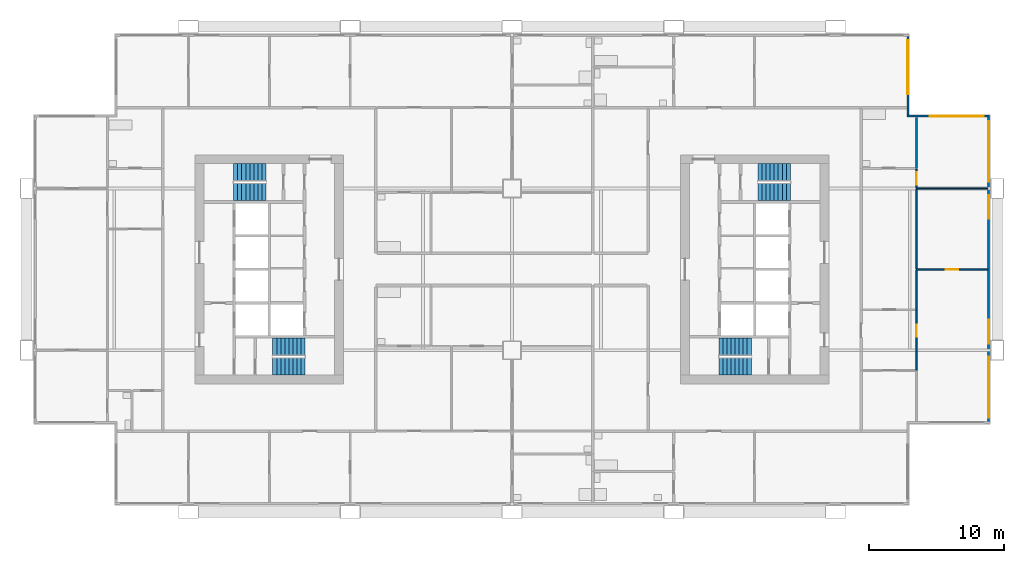
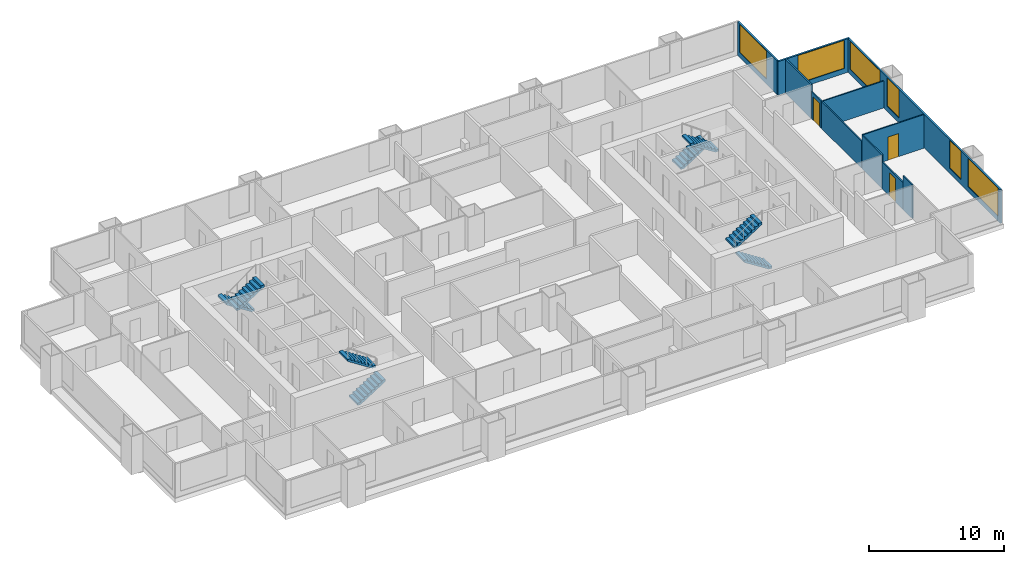
# One storey, part 8 of 10: 11 walls, 8 stair flights, 6 windows, 3 doors, 9 openings, 4 elements without a shape of their own.
"""IFC4 building model written with IfcOpenShell, lengths in metres."""

from ifc_helpers import new_model, si_unit, direction, frame, frame_2d, origin, place, context, subcontext, project, spatial, polyline, rectangle, outline, extrude, material, layer, layer_set, type_object, element, fill, aggregate, save


model = new_model("IFC4")

# Units and contexts
model_context = context("Model", 3, precision=1e-05, world=origin(), true_north=direction((0.0, 1.0)))
body_context = subcontext(model_context, "Body", "Model", "MODEL_VIEW")
ifc_project = project(units=[si_unit("LENGTHUNIT", "METRE"), si_unit("AREAUNIT", "SQUARE_METRE"), si_unit("VOLUMEUNIT", "CUBIC_METRE"), si_unit("PLANEANGLEUNIT", "RADIAN"), si_unit("MASSUNIT", "GRAM", prefix="KILO")], contexts=[model_context])

# Site, building, storey
site_placement = place(None, origin())
site = spatial("IfcSite", under=ifc_project, at=site_placement, CompositionType="ELEMENT")
building_placement = place(site_placement, origin())
building = spatial("IfcBuilding", under=site, at=building_placement, Name="Kitamizu Gate Tower and Museum", CompositionType="ELEMENT")
storey_placement = place(building_placement, frame((0.0, 0.0, 117.300048828125)))
storey = spatial("IfcBuildingStorey", under=building, at=storey_placement, Name="L30", CompositionType="ELEMENT", Elevation=117.300048828125)

# Wall, opening, door
ifc_material_1 = material(Name="Gypsum board on galvanised stud")
ifc_layer_1 = layer(ifc_material_1, 0.10009765625)
ifc_layer_set_1 = layer_set([ifc_layer_1], Name="Gypsum board on galvanised stud")
wall_type_1 = type_object("IfcWallType", Name="Partition 100 NOT RATED", PredefinedType="PARTITIONING", material=ifc_layer_set_1)
wall_1_placement = place(storey_placement, frame((71.280029296875, 30.0, 0.0), z_axis=(0.0, 0.0, 1.0), x_axis=(-1.0, 0.0, 0.0)))
wall_1 = element("IfcWall", 1, at=wall_1_placement, inside=storey, type_object=wall_type_1, Name="Partition L30-098", PredefinedType="PARTITIONING", context=body_context, shape_type="SweptSolid", body=[
    extrude(rectangle(XDim=5.280029296875, YDim=0.10009765625, at=frame_2d((2.64013671875, 0.0))), origin(), (0.0, 0.0, 1.0), 3.050048828125),
])
opening_1_placement = place(wall_1_placement, frame((2.18994140625, 0.0, 0.0)))
opening_1 = element("IfcOpeningElement", 2, at=opening_1_placement, cuts=wall_1, Name="Opening L30-038", PredefinedType="OPENING", context=body_context, shape_type="SweptSolid", body=[
    extrude(rectangle(XDim=0.89990234375, YDim=2.10009765625, at=frame_2d((0.449951171875, 1.050048828125))), frame((0.0, 0.06005859375, 0.0), z_axis=(0.0, -1.0, 0.0), x_axis=(1.0, 0.0, 0.0)), (0.0, 0.0, 1.0), 0.1201171875),
])
ifc_material_2 = material(Name="Timber door set", Category="wood")
door_type = type_object("IfcDoorType", Name="Room door 900", OperationType="NOTDEFINED", PredefinedType="DOOR", material=ifc_material_2)
door_1_placement = place(opening_1_placement, frame((0.89990234375, 0.0, 0.0), x_axis=(-1.0, 0.0, 0.0)))
door_1 = element("IfcDoor", 3, at=door_1_placement, inside=storey, type_object=door_type, Name="Door L30-038", OperationType="SINGLE_SWING_LEFT", OverallHeight=2.10009765625, OverallWidth=0.89990234375, PredefinedType="DOOR", context=body_context, shape_type="SweptSolid", body=[
    extrude(rectangle(XDim=0.89990234375, YDim=2.10009765625, at=frame_2d((0.449951171875, 1.050048828125))), frame((0.0, 0.02490234375, 0.0), z_axis=(0.0, -1.0, 0.0), x_axis=(1.0, 0.0, 0.0)), (0.0, 0.0, 1.0), 0.050048828125),
])
fill(opening_1, door_1)

wall_2_placement = place(storey_placement, frame((66.0, 27.0, 0.0), z_axis=(0.0, 0.0, 1.0), x_axis=(0.0, -1.0, 0.0)))
wall_2 = element("IfcWall", 4, at=wall_2_placement, inside=storey, type_object=wall_type_1, Name="Partition L30-100", PredefinedType="PARTITIONING", context=body_context, shape_type="SweptSolid", body=[
    extrude(rectangle(XDim=3.10009765625, YDim=0.10009765625, at=frame_2d((1.550048828125, 0.0))), origin(), (0.0, 0.0, 1.0), 2.449951171875),
])
opening_2_placement = place(wall_2_placement, frame((1.10009765625, 0.0, 0.0)))
opening_2 = element("IfcOpeningElement", 5, at=opening_2_placement, cuts=wall_2, Name="Opening L30-036", PredefinedType="OPENING", context=body_context, shape_type="SweptSolid", body=[
    extrude(rectangle(XDim=0.89990234375, YDim=2.10009765625, at=frame_2d((0.449951171875, 1.050048828125))), frame((0.0, 0.06005859375, 0.0), z_axis=(0.0, -1.0, 0.0), x_axis=(1.0, 0.0, 0.0)), (0.0, 0.0, 1.0), 0.1201171875),
])
door_2_placement = place(opening_2_placement, origin())
door_2 = element("IfcDoor", 6, at=door_2_placement, inside=storey, type_object=door_type, Name="Door L30-036", OperationType="SINGLE_SWING_RIGHT", OverallHeight=2.10009765625, OverallWidth=0.89990234375, PredefinedType="DOOR", context=body_context, shape_type="SweptSolid", body=[
    extrude(rectangle(XDim=0.89990234375, YDim=2.10009765625, at=frame_2d((0.449951171875, 1.050048828125))), frame((0.0, 0.02490234375, 0.0), z_axis=(0.0, -1.0, 0.0), x_axis=(1.0, 0.0, 0.0)), (0.0, 0.0, 1.0), 0.050048828125),
])
fill(opening_2, door_2)

# Walls
wall_3_placement = place(storey_placement, frame((66.0, 23.89990234375, 0.0), z_axis=(0.0, 0.0, 1.0), x_axis=(0.0, -1.0, 0.0)))
element("IfcWall", 7, at=wall_3_placement, inside=storey, type_object=wall_type_1, Name="Partition L30-101", PredefinedType="PARTITIONING", context=body_context, shape_type="SweptSolid", body=[
    extrude(rectangle(XDim=1.39990234375, YDim=0.10009765625, at=frame_2d((0.699951171875, 0.0))), origin(), (0.0, 0.0, 1.0), 3.050048828125),
])
wall_4_placement = place(storey_placement, frame((66.0, 29.949951171875, 0.0), z_axis=(0.0, 0.0, 1.0), x_axis=(0.0, -1.0, 0.0)))
element("IfcWall", 8, at=wall_4_placement, inside=storey, type_object=wall_type_1, Name="Partition L30-102", PredefinedType="PARTITIONING", context=body_context, shape_type="SweptSolid", body=[
    extrude(rectangle(XDim=2.949951171875, YDim=0.10009765625, at=frame_2d((1.47509765625, 0.0))), origin(), (0.0, 0.0, 1.0), 3.050048828125),
])
wall_5_placement = place(storey_placement, frame((71.280029296875, 36.0, 0.0), z_axis=(0.0, 0.0, 1.0), x_axis=(-1.0, 0.0, 0.0)))
element("IfcWall", 9, at=wall_5_placement, inside=storey, type_object=wall_type_1, Name="Partition L30-103", PredefinedType="PARTITIONING", context=body_context, shape_type="SweptSolid", body=[
    extrude(rectangle(XDim=5.280029296875, YDim=0.10009765625, at=frame_2d((2.64013671875, 0.0))), origin(), (0.0, 0.0, 1.0), 2.449951171875),
])
wall_6_placement = place(storey_placement, frame((66.0, 35.949951171875, 0.0), z_axis=(0.0, 0.0, 1.0), x_axis=(0.0, -1.0, 0.0)))
element("IfcWall", 10, at=wall_6_placement, inside=storey, type_object=wall_type_1, Name="Partition L30-104", PredefinedType="PARTITIONING", context=body_context, shape_type="SweptSolid", body=[
    extrude(rectangle(XDim=5.89990234375, YDim=0.10009765625, at=frame_2d((2.949951171875, 0.0))), origin(), (0.0, 0.0, 1.0), 2.449951171875),
])

# Wall, opening, door
wall_7_placement = place(storey_placement, frame((66.0, 37.425048828125, 0.0), z_axis=(0.0, 0.0, 1.0), x_axis=(0.0, -1.0, 0.0)))
wall_7 = element("IfcWall", 11, at=wall_7_placement, inside=storey, type_object=wall_type_1, Name="Partition L30-105", PredefinedType="PARTITIONING", context=body_context, shape_type="SweptSolid", body=[
    extrude(rectangle(XDim=1.375, YDim=0.10009765625, at=frame_2d((0.6875, 0.0))), origin(), (0.0, 0.0, 1.0), 2.449951171875),
])
opening_3_placement = place(wall_7_placement, frame((0.237548828125, 0.0, 0.0)))
opening_3 = element("IfcOpeningElement", 12, at=opening_3_placement, cuts=wall_7, Name="Opening L30-039", PredefinedType="OPENING", context=body_context, shape_type="SweptSolid", body=[
    extrude(rectangle(XDim=0.89990234375, YDim=2.10009765625, at=frame_2d((0.449951171875, 1.050048828125))), frame((0.0, 0.06005859375, 0.0), z_axis=(0.0, -1.0, 0.0), x_axis=(1.0, 0.0, 0.0)), (0.0, 0.0, 1.0), 0.1201171875),
])
door_3_placement = place(opening_3_placement, origin())
door_3 = element("IfcDoor", 13, at=door_3_placement, inside=storey, type_object=door_type, Name="Door L30-039", OperationType="SINGLE_SWING_LEFT", OverallHeight=2.10009765625, OverallWidth=0.89990234375, PredefinedType="DOOR", context=body_context, shape_type="SweptSolid", body=[
    extrude(rectangle(XDim=0.89990234375, YDim=2.10009765625, at=frame_2d((0.449951171875, 1.050048828125))), frame((0.0, 0.02490234375, 0.0), z_axis=(0.0, -1.0, 0.0), x_axis=(1.0, 0.0, 0.0)), (0.0, 0.0, 1.0), 0.050048828125),
])
fill(opening_3, door_3)

# Wall
ifc_material_3 = material(Name="Gypsum board on galvanised stud")
ifc_layer_2 = layer(ifc_material_3, 0.14990234375)
ifc_layer_set_2 = layer_set([ifc_layer_2], Name="Gypsum board on galvanised stud")
wall_type_2 = type_object("IfcWallType", Name="Partition 150", PredefinedType="PARTITIONING", material=ifc_layer_set_2)
wall_8_placement = place(storey_placement, frame((66.0, 41.280029296875, 0.0), z_axis=(0.0, 0.0, 1.0), x_axis=(0.0, -1.0, 0.0)))
element("IfcWall", 14, at=wall_8_placement, inside=storey, type_object=wall_type_2, Name="Partition L30-106", PredefinedType="PARTITIONING", context=body_context, shape_type="SweptSolid", body=[
    extrude(rectangle(XDim=3.780029296875, YDim=0.14990234375, at=frame_2d((1.89013671875, 0.0))), origin(), (0.0, 0.0, 1.0), 3.050048828125),
])

# Wall, openings, windows
ifc_material_4 = material(Name="Bronze anodised aluminium frame with insulated spandrel and tinted glass", Category="aluminium")
ifc_layer_3 = layer(ifc_material_4, 0.14990234375)
ifc_layer_set_3 = layer_set([ifc_layer_3], Name="Bronze anodised aluminium frame with insulated spandrel and tinted glass")
wall_type_3 = type_object("IfcWallType", Name="WINDOW WALL 150 BRONZE FRAME EI 30", PredefinedType="ELEMENTEDWALL", material=ifc_layer_set_3)
wall_9_placement = place(storey_placement, frame((71.364990234375, 18.7099609375, 0.0), z_axis=(0.0, 0.0, 1.0), x_axis=(0.0, 1.0, 0.0)))
wall_9 = element("IfcWall", 15, at=wall_9_placement, inside=storey, type_object=wall_type_3, Name="Window wall east L30", PredefinedType="ELEMENTEDWALL", context=body_context, shape_type="SweptSolid", body=[
    extrude(rectangle(XDim=22.580078125, YDim=0.14990234375, at=frame_2d((11.2900390625, 0.0))), origin(), (0.0, 0.0, 1.0), 3.050048828125),
])
opening_4_placement = place(wall_9_placement, frame((0.2900390625, 0.0, 0.449951171875)))
opening_4 = element("IfcOpeningElement", 16, at=opening_4_placement, cuts=wall_9, Name="Opening W15", PredefinedType="OPENING", context=body_context, shape_type="SweptSolid", body=[
    extrude(rectangle(XDim=4.5, YDim=2.550048828125, at=frame_2d((2.25, 1.27490234375))), frame((0.0, 0.0849609375, 0.0), z_axis=(0.0, -1.0, 0.0), x_axis=(1.0, 0.0, 0.0)), (0.0, 0.0, 1.0), 0.169921875),
])
opening_5_placement = place(wall_9_placement, frame((5.7900390625, 0.0, 0.449951171875)))
opening_5 = element("IfcOpeningElement", 17, at=opening_5_placement, cuts=wall_9, Name="Opening W29", PredefinedType="OPENING", context=body_context, shape_type="SweptSolid", body=[
    extrude(rectangle(XDim=1.75, YDim=2.550048828125, at=frame_2d((0.875, 1.27490234375))), frame((0.0, 0.0849609375, 0.0), z_axis=(0.0, -1.0, 0.0), x_axis=(1.0, 0.0, 0.0)), (0.0, 0.0, 1.0), 0.169921875),
])
opening_6_placement = place(wall_9_placement, frame((15.0400390625, 0.0, 0.449951171875)))
opening_6 = element("IfcOpeningElement", 18, at=opening_6_placement, cuts=wall_9, Name="Opening W29", PredefinedType="OPENING", context=body_context, shape_type="SweptSolid", body=[
    extrude(rectangle(XDim=1.75, YDim=2.550048828125, at=frame_2d((0.875, 1.27490234375))), frame((0.0, 0.0849609375, 0.0), z_axis=(0.0, -1.0, 0.0), x_axis=(1.0, 0.0, 0.0)), (0.0, 0.0, 1.0), 0.169921875),
])
opening_7_placement = place(wall_9_placement, frame((17.7900390625, 0.0, 0.449951171875)))
opening_7 = element("IfcOpeningElement", 19, at=opening_7_placement, cuts=wall_9, Name="Opening W15", PredefinedType="OPENING", context=body_context, shape_type="SweptSolid", body=[
    extrude(rectangle(XDim=4.5, YDim=2.550048828125, at=frame_2d((2.25, 1.27490234375))), frame((0.0, 0.0849609375, 0.0), z_axis=(0.0, -1.0, 0.0), x_axis=(1.0, 0.0, 0.0)), (0.0, 0.0, 1.0), 0.169921875),
])
ifc_material_5 = material(Name="Bronze anodised aluminium frame, tinted triple glazing", Category="aluminium")
window_type_1 = type_object("IfcWindowType", Name="WINDOW 1750 x 2550 SILL 450", PartitioningType="SINGLE_PANEL", PredefinedType="WINDOW", material=ifc_material_5)
window_1_placement = place(opening_5_placement, origin())
window_1 = element("IfcWindow", 20, at=window_1_placement, inside=storey, type_object=window_type_1, Name="Window W29 L30", OverallHeight=2.550048828125, OverallWidth=1.75, PartitioningType="SINGLE_PANEL", PredefinedType="WINDOW", context=body_context, shape_type="SweptSolid", body=[
    extrude(rectangle(XDim=1.75, YDim=2.550048828125, at=frame_2d((0.875, 1.27490234375))), frame((0.0, 0.030029296875, 0.0), z_axis=(0.0, -1.0, 0.0), x_axis=(1.0, 0.0, 0.0)), (0.0, 0.0, 1.0), 0.06005859375),
])
fill(opening_5, window_1)
window_2_placement = place(opening_6_placement, origin())
window_2 = element("IfcWindow", 21, at=window_2_placement, inside=storey, type_object=window_type_1, Name="Window W29 L30", OverallHeight=2.550048828125, OverallWidth=1.75, PartitioningType="SINGLE_PANEL", PredefinedType="WINDOW", context=body_context, shape_type="SweptSolid", body=[
    extrude(rectangle(XDim=1.75, YDim=2.550048828125, at=frame_2d((0.875, 1.27490234375))), frame((0.0, 0.030029296875, 0.0), z_axis=(0.0, -1.0, 0.0), x_axis=(1.0, 0.0, 0.0)), (0.0, 0.0, 1.0), 0.06005859375),
])
fill(opening_6, window_2)
ifc_material_6 = material(Name="Bronze anodised aluminium frame, tinted triple glazing", Category="aluminium")
window_type_2 = type_object("IfcWindowType", Name="WINDOW 4500 x 2550 SILL 450", PartitioningType="SINGLE_PANEL", PredefinedType="WINDOW", material=ifc_material_6)
window_3_placement = place(opening_4_placement, origin())
window_3 = element("IfcWindow", 22, at=window_3_placement, inside=storey, type_object=window_type_2, Name="Window W15 L30", OverallHeight=2.550048828125, OverallWidth=4.5, PartitioningType="SINGLE_PANEL", PredefinedType="WINDOW", context=body_context, shape_type="SweptSolid", body=[
    extrude(rectangle(XDim=4.5, YDim=2.550048828125, at=frame_2d((2.25, 1.27490234375))), frame((0.0, 0.030029296875, 0.0), z_axis=(0.0, -1.0, 0.0), x_axis=(1.0, 0.0, 0.0)), (0.0, 0.0, 1.0), 0.06005859375),
])
fill(opening_4, window_3)
window_4_placement = place(opening_7_placement, origin())
window_4 = element("IfcWindow", 23, at=window_4_placement, inside=storey, type_object=window_type_2, Name="Window W15 L30", OverallHeight=2.550048828125, OverallWidth=4.5, PartitioningType="SINGLE_PANEL", PredefinedType="WINDOW", context=body_context, shape_type="SweptSolid", body=[
    extrude(rectangle(XDim=4.5, YDim=2.550048828125, at=frame_2d((2.25, 1.27490234375))), frame((0.0, 0.030029296875, 0.0), z_axis=(0.0, -1.0, 0.0), x_axis=(1.0, 0.0, 0.0)), (0.0, 0.0, 1.0), 0.06005859375),
])
fill(opening_7, window_4)

# Wall, opening, window
wall_10_placement = place(storey_placement, frame((65.2900390625, 41.364990234375, 0.0), z_axis=(0.0, 0.0, 1.0), x_axis=(1.0, 0.0, 0.0)))
wall_10 = element("IfcWall", 24, at=wall_10_placement, inside=storey, type_object=wall_type_3, Name="Window wall north L30", PredefinedType="ELEMENTEDWALL", context=body_context, shape_type="SweptSolid", body=[
    extrude(rectangle(XDim=6.14990234375, YDim=0.14990234375, at=frame_2d((3.074951171875, 0.0))), origin(), (0.0, 0.0, 1.0), 3.050048828125),
])
opening_8_placement = place(wall_10_placement, frame((1.7099609375, 0.0, 0.449951171875)))
opening_8 = element("IfcOpeningElement", 25, at=opening_8_placement, cuts=wall_10, Name="Opening W16", PredefinedType="OPENING", context=body_context, shape_type="SweptSolid", body=[
    extrude(rectangle(XDim=4.0, YDim=2.550048828125, at=frame_2d((2.0, 1.27490234375))), frame((0.0, 0.0849609375, 0.0), z_axis=(0.0, -1.0, 0.0), x_axis=(1.0, 0.0, 0.0)), (0.0, 0.0, 1.0), 0.169921875),
])
ifc_material_7 = material(Name="Bronze anodised aluminium frame, tinted triple glazing", Category="aluminium")
window_type_3 = type_object("IfcWindowType", Name="WINDOW 4000 x 2550 SILL 450", PartitioningType="SINGLE_PANEL", PredefinedType="WINDOW", material=ifc_material_7)
window_5_placement = place(opening_8_placement, origin())
window_5 = element("IfcWindow", 26, at=window_5_placement, inside=storey, type_object=window_type_3, Name="Window W16 L30", OverallHeight=2.550048828125, OverallWidth=4.0, PartitioningType="SINGLE_PANEL", PredefinedType="WINDOW", context=body_context, shape_type="SweptSolid", body=[
    extrude(rectangle(XDim=4.0, YDim=2.550048828125, at=frame_2d((2.0, 1.27490234375))), frame((0.0, 0.030029296875, 0.0), z_axis=(0.0, -1.0, 0.0), x_axis=(1.0, 0.0, 0.0)), (0.0, 0.0, 1.0), 0.06005859375),
])
fill(opening_8, window_5)

wall_11_placement = place(storey_placement, frame((65.364990234375, 41.43994140625, 0.0), z_axis=(0.0, 0.0, 1.0), x_axis=(0.0, 1.0, 0.0)))
wall_11 = element("IfcWall", 27, at=wall_11_placement, inside=storey, type_object=wall_type_3, Name="Window wall east L30", PredefinedType="ELEMENTEDWALL", context=body_context, shape_type="SweptSolid", body=[
    extrude(rectangle(XDim=5.85009765625, YDim=0.14990234375, at=frame_2d((2.925048828125, 0.0))), origin(), (0.0, 0.0, 1.0), 3.050048828125),
])
opening_9_placement = place(wall_11_placement, frame((1.56005859375, 0.0, 0.449951171875)))
opening_9 = element("IfcOpeningElement", 28, at=opening_9_placement, cuts=wall_11, Name="Opening W16", PredefinedType="OPENING", context=body_context, shape_type="SweptSolid", body=[
    extrude(rectangle(XDim=4.0, YDim=2.550048828125, at=frame_2d((2.0, 1.27490234375))), frame((0.0, 0.0849609375, 0.0), z_axis=(0.0, -1.0, 0.0), x_axis=(1.0, 0.0, 0.0)), (0.0, 0.0, 1.0), 0.169921875),
])
window_6_placement = place(opening_9_placement, origin())
window_6 = element("IfcWindow", 29, at=window_6_placement, inside=storey, type_object=window_type_3, Name="Window W16 L30", OverallHeight=2.550048828125, OverallWidth=4.0, PartitioningType="SINGLE_PANEL", PredefinedType="WINDOW", context=body_context, shape_type="SweptSolid", body=[
    extrude(rectangle(XDim=4.0, YDim=2.550048828125, at=frame_2d((2.0, 1.27490234375))), frame((0.0, 0.030029296875, 0.0), z_axis=(0.0, -1.0, 0.0), x_axis=(1.0, 0.0, 0.0)), (0.0, 0.0, 1.0), 0.06005859375),
])
fill(opening_9, window_6)

# Stair, stair flights
ifc_material_8 = material(Name="Concrete Fc42", Category="concrete")
stair_type = type_object("IfcStairType", Name="Exit stair 1275 wide 192 rise 300 going", PredefinedType="HALF_TURN_STAIR", material=ifc_material_8)
stair_1_placement = place(storey_placement, origin())
stair_1 = element("IfcStair", 30, at=stair_1_placement, inside=storey, type_object=stair_type, Name="Exit stair ST1", PredefinedType="HALF_TURN_STAIR")
ifc_material_9 = material(Name="Concrete Fc42", Category="concrete")
stair_flight_type = type_object("IfcStairFlightType", Name="Stair flight 1275 wide 192 rise 300 going", PredefinedType="STRAIGHT", material=ifc_material_9)
stair_flight_1_placement = place(storey_placement, frame((18.25, 22.78759765625, 0.0), z_axis=(0.0, 0.0, 1.0), x_axis=(1.0, 0.0, 0.0)))
stair_flight_1 = element("IfcStairFlight", 31, at=stair_flight_1_placement, type_object=stair_flight_type, Name="ST1 flight 1", NumberOfRisers=9, NumberOfTreads=8, PredefinedType="STRAIGHT", RiserHeight=0.191666667, TreadLength=0.3, context=body_context, shape_type="SweptSolid", body=[
    extrude(outline(polyline([(0.0, 0.0), (0.0, 0.191650390625), (0.300048828125, 0.191650390625), (0.300048828125, 0.38330078125), (0.60009765625, 0.38330078125), (0.60009765625, 0.574951171875), (0.89990234375, 0.574951171875), (0.89990234375, 0.7666015625), (1.199951171875, 0.7666015625), (1.199951171875, 0.958251953125), (1.5, 0.958251953125), (1.5, 1.14990234375), (1.800048828125, 1.14990234375), (1.800048828125, 1.341552734375), (2.10009765625, 1.341552734375), (2.10009765625, 1.533447265625), (2.39990234375, 1.533447265625), (2.39990234375, 1.72509765625), (2.39990234375, 1.35546875), (0.2783203125, 0.0), (0.0, 0.0)])), frame((0.0, 0.637451171875, 0.0), z_axis=(0.0, -1.0, 0.0), x_axis=(1.0, 0.0, 0.0)), (0.0, 0.0, 1.0), 1.27490234375),
])
stair_flight_2_placement = place(storey_placement, frame((20.64990234375, 24.262451171875, 1.724853515625), z_axis=(0.0, 0.0, 1.0), x_axis=(-1.0, 0.0, 0.0)))
stair_flight_2 = element("IfcStairFlight", 32, at=stair_flight_2_placement, type_object=stair_flight_type, Name="ST1 flight 2", NumberOfRisers=9, NumberOfTreads=8, PredefinedType="STRAIGHT", RiserHeight=0.191666667, TreadLength=0.3, context=body_context, shape_type="SweptSolid", body=[
    extrude(outline(polyline([(0.0, 0.0), (0.0, 0.191650390625), (0.300048828125, 0.191650390625), (0.300048828125, 0.38330078125), (0.60009765625, 0.38330078125), (0.60009765625, 0.574951171875), (0.89990234375, 0.574951171875), (0.89990234375, 0.7666015625), (1.199951171875, 0.7666015625), (1.199951171875, 0.958251953125), (1.5, 0.958251953125), (1.5, 1.14990234375), (1.800048828125, 1.14990234375), (1.800048828125, 1.341552734375), (2.10009765625, 1.341552734375), (2.10009765625, 1.533447265625), (2.39990234375, 1.533447265625), (2.39990234375, 1.72509765625), (2.39990234375, 1.35546875), (0.2783203125, 0.0), (0.0, 0.0)])), frame((0.0, 0.637451171875, 0.0), z_axis=(0.0, -1.0, 0.0), x_axis=(1.0, 0.0, 0.0)), (0.0, 0.0, 1.0), 1.27490234375),
])
aggregate(stair_1, [stair_flight_1, stair_flight_2])

stair_2_placement = place(storey_placement, origin())
stair_2 = element("IfcStair", 33, at=stair_2_placement, inside=storey, type_object=stair_type, Name="Exit stair ST2", PredefinedType="HALF_TURN_STAIR")
stair_flight_3_placement = place(storey_placement, frame((17.75, 37.21240234375, 0.0), z_axis=(0.0, 0.0, 1.0), x_axis=(-1.0, 0.0, 0.0)))
stair_flight_3 = element("IfcStairFlight", 34, at=stair_flight_3_placement, type_object=stair_flight_type, Name="ST2 flight 1", NumberOfRisers=9, NumberOfTreads=8, PredefinedType="STRAIGHT", RiserHeight=0.191666667, TreadLength=0.3, context=body_context, shape_type="SweptSolid", body=[
    extrude(outline(polyline([(0.0, 0.0), (0.0, 0.191650390625), (0.300048828125, 0.191650390625), (0.300048828125, 0.38330078125), (0.60009765625, 0.38330078125), (0.60009765625, 0.574951171875), (0.89990234375, 0.574951171875), (0.89990234375, 0.7666015625), (1.199951171875, 0.7666015625), (1.199951171875, 0.958251953125), (1.5, 0.958251953125), (1.5, 1.14990234375), (1.800048828125, 1.14990234375), (1.800048828125, 1.341552734375), (2.10009765625, 1.341552734375), (2.10009765625, 1.533447265625), (2.39990234375, 1.533447265625), (2.39990234375, 1.72509765625), (2.39990234375, 1.35546875), (0.2783203125, 0.0), (0.0, 0.0)])), frame((0.0, 0.637451171875, 0.0), z_axis=(0.0, -1.0, 0.0), x_axis=(1.0, 0.0, 0.0)), (0.0, 0.0, 1.0), 1.27490234375),
])
stair_flight_4_placement = place(storey_placement, frame((15.35009765625, 35.737548828125, 1.724853515625), z_axis=(0.0, 0.0, 1.0), x_axis=(1.0, 0.0, 0.0)))
stair_flight_4 = element("IfcStairFlight", 35, at=stair_flight_4_placement, type_object=stair_flight_type, Name="ST2 flight 2", NumberOfRisers=9, NumberOfTreads=8, PredefinedType="STRAIGHT", RiserHeight=0.191666667, TreadLength=0.3, context=body_context, shape_type="SweptSolid", body=[
    extrude(outline(polyline([(0.0, 0.0), (0.0, 0.191650390625), (0.300048828125, 0.191650390625), (0.300048828125, 0.38330078125), (0.60009765625, 0.38330078125), (0.60009765625, 0.574951171875), (0.89990234375, 0.574951171875), (0.89990234375, 0.7666015625), (1.199951171875, 0.7666015625), (1.199951171875, 0.958251953125), (1.5, 0.958251953125), (1.5, 1.14990234375), (1.800048828125, 1.14990234375), (1.800048828125, 1.341552734375), (2.10009765625, 1.341552734375), (2.10009765625, 1.533447265625), (2.39990234375, 1.533447265625), (2.39990234375, 1.72509765625), (2.39990234375, 1.35546875), (0.2783203125, 0.0), (0.0, 0.0)])), frame((0.0, 0.637451171875, 0.0), z_axis=(0.0, -1.0, 0.0), x_axis=(1.0, 0.0, 0.0)), (0.0, 0.0, 1.0), 1.27490234375),
])
aggregate(stair_2, [stair_flight_3, stair_flight_4])

stair_3_placement = place(storey_placement, origin())
stair_3 = element("IfcStair", 36, at=stair_3_placement, inside=storey, type_object=stair_type, Name="Exit stair ST3", PredefinedType="HALF_TURN_STAIR")
stair_flight_5_placement = place(storey_placement, frame((53.75, 22.78759765625, 0.0), z_axis=(0.0, 0.0, 1.0), x_axis=(-1.0, 0.0, 0.0)))
stair_flight_5 = element("IfcStairFlight", 37, at=stair_flight_5_placement, type_object=stair_flight_type, Name="ST3 flight 1", NumberOfRisers=9, NumberOfTreads=8, PredefinedType="STRAIGHT", RiserHeight=0.191666667, TreadLength=0.3, context=body_context, shape_type="SweptSolid", body=[
    extrude(outline(polyline([(0.0, 0.0), (0.0, 0.191650390625), (0.300048828125, 0.191650390625), (0.300048828125, 0.38330078125), (0.60009765625, 0.38330078125), (0.60009765625, 0.574951171875), (0.89990234375, 0.574951171875), (0.89990234375, 0.7666015625), (1.199951171875, 0.7666015625), (1.199951171875, 0.958251953125), (1.5, 0.958251953125), (1.5, 1.14990234375), (1.800048828125, 1.14990234375), (1.800048828125, 1.341552734375), (2.10009765625, 1.341552734375), (2.10009765625, 1.533447265625), (2.39990234375, 1.533447265625), (2.39990234375, 1.72509765625), (2.39990234375, 1.35546875), (0.2783203125, 0.0), (0.0, 0.0)])), frame((0.0, 0.637451171875, 0.0), z_axis=(0.0, -1.0, 0.0), x_axis=(1.0, 0.0, 0.0)), (0.0, 0.0, 1.0), 1.27490234375),
])
stair_flight_6_placement = place(storey_placement, frame((51.35009765625, 24.262451171875, 1.724853515625), z_axis=(0.0, 0.0, 1.0), x_axis=(1.0, 0.0, 0.0)))
stair_flight_6 = element("IfcStairFlight", 38, at=stair_flight_6_placement, type_object=stair_flight_type, Name="ST3 flight 2", NumberOfRisers=9, NumberOfTreads=8, PredefinedType="STRAIGHT", RiserHeight=0.191666667, TreadLength=0.3, context=body_context, shape_type="SweptSolid", body=[
    extrude(outline(polyline([(0.0, 0.0), (0.0, 0.191650390625), (0.300048828125, 0.191650390625), (0.300048828125, 0.38330078125), (0.60009765625, 0.38330078125), (0.60009765625, 0.574951171875), (0.89990234375, 0.574951171875), (0.89990234375, 0.7666015625), (1.199951171875, 0.7666015625), (1.199951171875, 0.958251953125), (1.5, 0.958251953125), (1.5, 1.14990234375), (1.800048828125, 1.14990234375), (1.800048828125, 1.341552734375), (2.10009765625, 1.341552734375), (2.10009765625, 1.533447265625), (2.39990234375, 1.533447265625), (2.39990234375, 1.72509765625), (2.39990234375, 1.35546875), (0.2783203125, 0.0), (0.0, 0.0)])), frame((0.0, 0.637451171875, 0.0), z_axis=(0.0, -1.0, 0.0), x_axis=(1.0, 0.0, 0.0)), (0.0, 0.0, 1.0), 1.27490234375),
])
aggregate(stair_3, [stair_flight_5, stair_flight_6])

stair_4_placement = place(storey_placement, origin())
stair_4 = element("IfcStair", 39, at=stair_4_placement, inside=storey, type_object=stair_type, Name="Exit stair ST4", PredefinedType="HALF_TURN_STAIR")
stair_flight_7_placement = place(storey_placement, frame((54.25, 37.21240234375, 0.0), z_axis=(0.0, 0.0, 1.0), x_axis=(1.0, 0.0, 0.0)))
stair_flight_7 = element("IfcStairFlight", 40, at=stair_flight_7_placement, type_object=stair_flight_type, Name="ST4 flight 1", NumberOfRisers=9, NumberOfTreads=8, PredefinedType="STRAIGHT", RiserHeight=0.191666667, TreadLength=0.3, context=body_context, shape_type="SweptSolid", body=[
    extrude(outline(polyline([(0.0, 0.0), (0.0, 0.191650390625), (0.300048828125, 0.191650390625), (0.300048828125, 0.38330078125), (0.60009765625, 0.38330078125), (0.60009765625, 0.574951171875), (0.89990234375, 0.574951171875), (0.89990234375, 0.7666015625), (1.199951171875, 0.7666015625), (1.199951171875, 0.958251953125), (1.5, 0.958251953125), (1.5, 1.14990234375), (1.800048828125, 1.14990234375), (1.800048828125, 1.341552734375), (2.10009765625, 1.341552734375), (2.10009765625, 1.533447265625), (2.39990234375, 1.533447265625), (2.39990234375, 1.72509765625), (2.39990234375, 1.35546875), (0.2783203125, 0.0), (0.0, 0.0)])), frame((0.0, 0.637451171875, 0.0), z_axis=(0.0, -1.0, 0.0), x_axis=(1.0, 0.0, 0.0)), (0.0, 0.0, 1.0), 1.27490234375),
])
stair_flight_8_placement = place(storey_placement, frame((56.64990234375, 35.737548828125, 1.724853515625), z_axis=(0.0, 0.0, 1.0), x_axis=(-1.0, 0.0, 0.0)))
stair_flight_8 = element("IfcStairFlight", 41, at=stair_flight_8_placement, type_object=stair_flight_type, Name="ST4 flight 2", NumberOfRisers=9, NumberOfTreads=8, PredefinedType="STRAIGHT", RiserHeight=0.191666667, TreadLength=0.3, context=body_context, shape_type="SweptSolid", body=[
    extrude(outline(polyline([(0.0, 0.0), (0.0, 0.191650390625), (0.300048828125, 0.191650390625), (0.300048828125, 0.38330078125), (0.60009765625, 0.38330078125), (0.60009765625, 0.574951171875), (0.89990234375, 0.574951171875), (0.89990234375, 0.7666015625), (1.199951171875, 0.7666015625), (1.199951171875, 0.958251953125), (1.5, 0.958251953125), (1.5, 1.14990234375), (1.800048828125, 1.14990234375), (1.800048828125, 1.341552734375), (2.10009765625, 1.341552734375), (2.10009765625, 1.533447265625), (2.39990234375, 1.533447265625), (2.39990234375, 1.72509765625), (2.39990234375, 1.35546875), (0.2783203125, 0.0), (0.0, 0.0)])), frame((0.0, 0.637451171875, 0.0), z_axis=(0.0, -1.0, 0.0), x_axis=(1.0, 0.0, 0.0)), (0.0, 0.0, 1.0), 1.27490234375),
])
aggregate(stair_4, [stair_flight_7, stair_flight_8])

save(model, "model.ifc")
